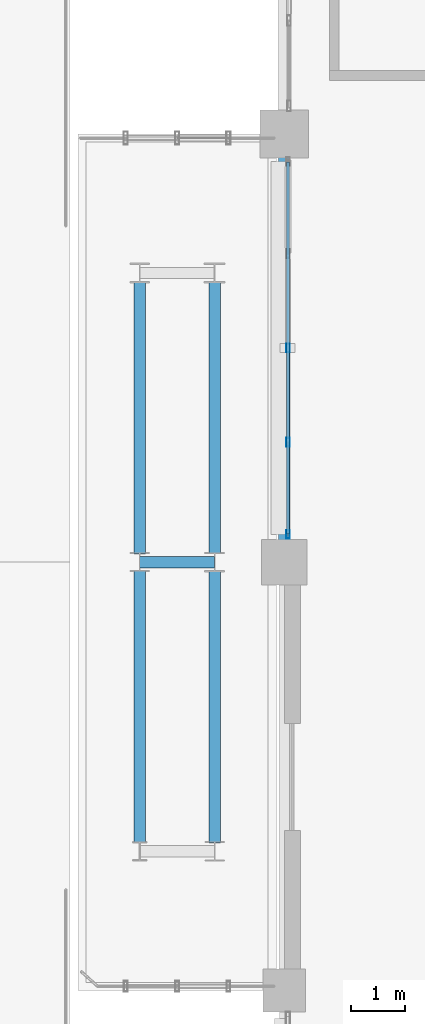
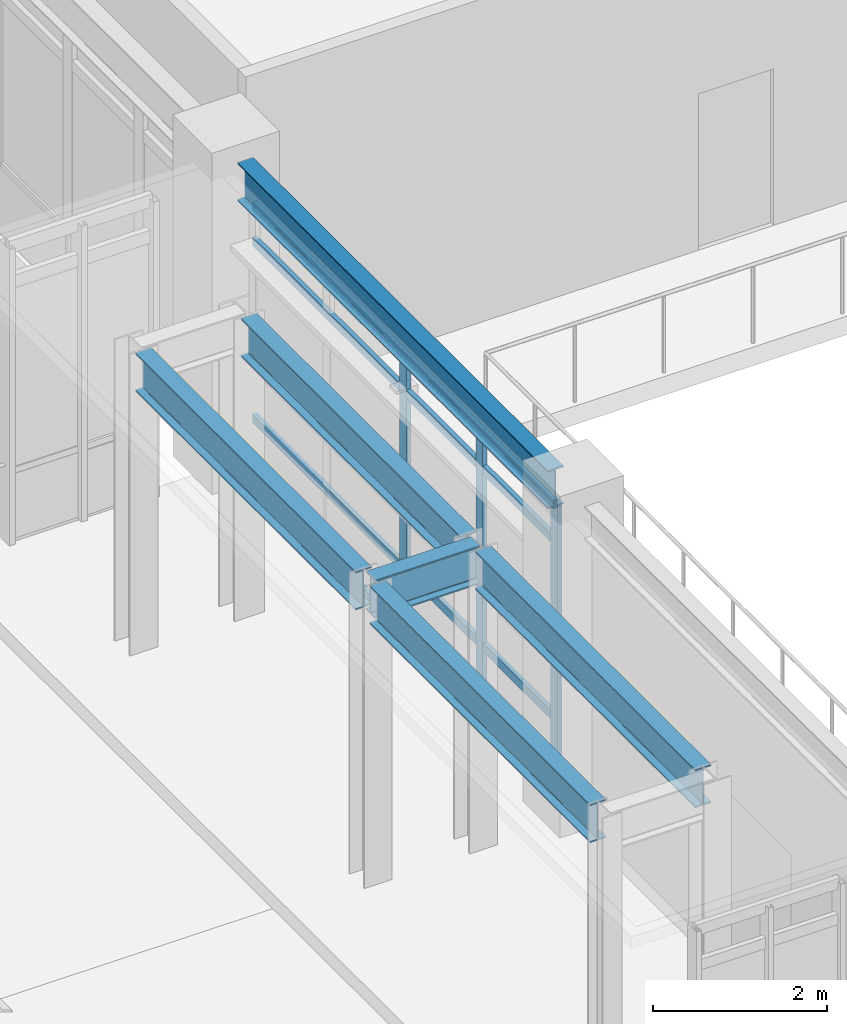
# One storey, part 122 of 200: 7 members, 6 beams, 1 element without a shape of its own.
"""IFC4 building model written with IfcOpenShell, lengths in metres."""

from ifc_helpers import new_model, si_unit, direction, frame, origin, origin_2d, place, context, subcontext, project, spatial, hollow_rectangle, i_section, extrude, material, material_profile, profile_set, type_object, element, aggregate, save


model = new_model("IFC4")

# Units and contexts
model_context = context("Model", 3, precision=1e-05, world=origin(), true_north=direction((0.0, 1.0)))
body_context = subcontext(model_context, "Body", "Model", "MODEL_VIEW")
ifc_project = project(units=[si_unit("LENGTHUNIT", "METRE"), si_unit("AREAUNIT", "SQUARE_METRE"), si_unit("VOLUMEUNIT", "CUBIC_METRE"), si_unit("PLANEANGLEUNIT", "RADIAN"), si_unit("MASSUNIT", "GRAM", prefix="KILO"), si_unit("THERMODYNAMICTEMPERATUREUNIT", "KELVIN"), si_unit("POWERUNIT", "WATT")], contexts=[model_context])

# Site, building, storey
site_placement = place(None, origin())
site = spatial("IfcSite", under=ifc_project, at=site_placement, CompositionType="ELEMENT")
building_placement = place(site_placement, origin())
building = spatial("IfcBuilding", under=site, at=building_placement, Name="Tepalcoro Natatorium and Aquatics Centre", CompositionType="ELEMENT")
storey_placement = place(building_placement, frame((0.0, 0.0, 5.39990234375)))
storey = spatial("IfcBuildingStorey", under=building, at=storey_placement, Name="L01", CompositionType="ELEMENT", Elevation=5.39990234375)

# Beams
ifc_material_1 = material(Name="Steel ASTM A992 Grade 50 (Fy 345 MPa)", Category="steel")
ifc_material_profile_1 = material_profile(ifc_material_1, i_section(OverallWidth=0.2109375, OverallDepth=0.5380859375, WebThickness=0.011962890625, FlangeThickness=0.01904296875, FilletRadius=0.013916015625, at=origin_2d()), Name="W21X73")
ifc_profile_set_1 = profile_set([ifc_material_profile_1], Name="Steel ASTM A992 Grade 50 (Fy 345 MPa)")
beam_type_1 = type_object("IfcBeamType", Name="BM_LINK_LB1", PredefinedType="BEAM", material=ifc_profile_set_1)
beam_1_placement = place(storey_placement, frame((139.300048828125, 36.0, 3.9560546875), z_axis=(1.0, 0.0, 0.0), x_axis=(0.0, 1.0, 0.0)))
element("IfcBeam", 1, at=beam_1_placement, inside=storey, type_object=beam_type_1, Name="Seismic passage link beam LB1 (V6E L01)", PredefinedType="BEAM", context=body_context, shape_type="SweptSolid", body=[
    extrude(i_section(OverallWidth=0.2109375, OverallDepth=0.5380859375, WebThickness=0.011962890625, FlangeThickness=0.01904296875, FilletRadius=0.013916015625, at=origin_2d()), origin(), (0.0, 0.0, 1.0), 1.39990234375),
])
beam_2_placement = place(storey_placement, frame((139.300048828125, 30.757080078125, 3.9560546875), z_axis=(0.0, 1.0, 0.0), x_axis=(-1.0, 0.0, 0.0)))
element("IfcBeam", 2, at=beam_2_placement, inside=storey, type_object=beam_type_1, Name="Seismic passage link beam LB1 (V6E L01)", PredefinedType="BEAM", context=body_context, shape_type="SweptSolid", body=[
    extrude(i_section(OverallWidth=0.2109375, OverallDepth=0.5380859375, WebThickness=0.011962890625, FlangeThickness=0.01904296875, FilletRadius=0.013916015625, at=origin_2d()), origin(), (0.0, 0.0, 1.0), 5.0859375),
])
beam_3_placement = place(storey_placement, frame((139.300048828125, 36.156982421875, 3.9560546875), z_axis=(0.0, 1.0, 0.0), x_axis=(-1.0, 0.0, 0.0)))
element("IfcBeam", 3, at=beam_3_placement, inside=storey, type_object=beam_type_1, Name="Seismic passage link beam LB1 (V6E L01)", PredefinedType="BEAM", context=body_context, shape_type="SweptSolid", body=[
    extrude(i_section(OverallWidth=0.2109375, OverallDepth=0.5380859375, WebThickness=0.011962890625, FlangeThickness=0.01904296875, FilletRadius=0.013916015625, at=origin_2d()), origin(), (0.0, 0.0, 1.0), 5.080078125),
])
beam_4_placement = place(storey_placement, frame((140.699951171875, 30.757080078125, 3.9560546875), z_axis=(0.0, 1.0, 0.0), x_axis=(-1.0, 0.0, 0.0)))
element("IfcBeam", 4, at=beam_4_placement, inside=storey, type_object=beam_type_1, Name="Seismic passage link beam LB1 (V6E L01)", PredefinedType="BEAM", context=body_context, shape_type="SweptSolid", body=[
    extrude(i_section(OverallWidth=0.2109375, OverallDepth=0.5380859375, WebThickness=0.011962890625, FlangeThickness=0.01904296875, FilletRadius=0.013916015625, at=origin_2d()), origin(), (0.0, 0.0, 1.0), 5.079833984375),
])
beam_5_placement = place(storey_placement, frame((140.699951171875, 36.1630859375, 3.9560546875), z_axis=(0.0, 1.0, 0.0), x_axis=(-1.0, 0.0, 0.0)))
element("IfcBeam", 5, at=beam_5_placement, inside=storey, type_object=beam_type_1, Name="Seismic passage link beam LB1 (V6E L01)", PredefinedType="BEAM", context=body_context, shape_type="SweptSolid", body=[
    extrude(i_section(OverallWidth=0.2109375, OverallDepth=0.5380859375, WebThickness=0.011962890625, FlangeThickness=0.01904296875, FilletRadius=0.013916015625, at=origin_2d()), origin(), (0.0, 0.0, 1.0), 5.06982421875),
])

# Curtain wall, members
ifc_material_2 = material(Name="Bronze-Anodised Extruded Aluminium Alloy EN AW-6063 T6", Category="aluminium")
curtain_wall_type = type_object("IfcCurtainWallType", Name="CW_LEAN_T2_EW", PredefinedType="USERDEFINED", material=ifc_material_2)
curtain_wall_placement = place(storey_placement, origin())
curtain_wall = element("IfcCurtainWall", 6, at=curtain_wall_placement, inside=storey, type_object=curtain_wall_type, Name="V2 L01 W Unitised Curtain Wall Bay 5", ObjectType="FACETED SOLAR GLAZING", PredefinedType="USERDEFINED")
ifc_material_profile_2 = material_profile(ifc_material_2, hollow_rectangle(XDim=0.06005859375, YDim=0.159912109375, WallThickness=0.00390625, at=origin_2d()), Name="AL60X160X4")
ifc_profile_set_2 = profile_set([ifc_material_profile_2], Name="Bronze-Anodised Extruded Aluminium Alloy EN AW-6063 T6")
member_type_1 = type_object("IfcMemberType", Name="CW_MUL_60x160", PredefinedType="MULLION", material=ifc_profile_set_2)
member_1_placement = place(storey_placement, frame((142.0712890625, 36.52001953125, 0.02001953125), z_axis=(0.0, 0.0, 1.0), x_axis=(1.0, 0.0, 0.0)))
member_1 = element("IfcMember", 7, at=member_1_placement, type_object=member_type_1, Name="CW_LEAN_T2_EW Curtain Wall Mullion", PredefinedType="MULLION", context=body_context, shape_type="SweptSolid", body=[
    extrude(hollow_rectangle(XDim=0.06005859375, YDim=0.159912109375, WallThickness=0.00390625, at=origin_2d()), origin(), (0.0, 0.0, 1.0), 3.9541015625),
])
member_2_placement = place(storey_placement, frame((142.0712890625, 38.239990234375, 0.02001953125), z_axis=(0.0, 0.0, 1.0), x_axis=(1.0, 0.0, 0.0)))
member_2 = element("IfcMember", 8, at=member_2_placement, type_object=member_type_1, Name="CW_LEAN_T2_EW Curtain Wall Mullion", PredefinedType="MULLION", context=body_context, shape_type="SweptSolid", body=[
    extrude(hollow_rectangle(XDim=0.06005859375, YDim=0.159912109375, WallThickness=0.00390625, at=origin_2d()), origin(), (0.0, 0.0, 1.0), 3.9541015625),
])
member_3_placement = place(storey_placement, frame((142.0712890625, 40.0, 0.02001953125), z_axis=(0.0, 0.0, 1.0), x_axis=(1.0, 0.0, 0.0)))
member_3 = element("IfcMember", 9, at=member_3_placement, type_object=member_type_1, Name="CW_LEAN_T2_EW Curtain Wall Mullion", PredefinedType="MULLION", context=body_context, shape_type="SweptSolid", body=[
    extrude(hollow_rectangle(XDim=0.06005859375, YDim=0.159912109375, WallThickness=0.00390625, at=origin_2d()), origin(), (0.0, 0.0, 1.0), 3.9541015625),
])
ifc_material_profile_3 = material_profile(ifc_material_2, hollow_rectangle(XDim=0.06005859375, YDim=0.1201171875, WallThickness=0.00390625, at=origin_2d()), Name="AL60X120X4")
ifc_profile_set_3 = profile_set([ifc_material_profile_3], Name="Bronze-Anodised Extruded Aluminium Alloy EN AW-6063 T6")
member_type_2 = type_object("IfcMemberType", Name="CW_TRN_60x120", PredefinedType="USERDEFINED", material=ifc_profile_set_3)
member_4_placement = place(storey_placement, frame((142.0712890625, 36.530029296875, 0.050048828125), z_axis=(0.0, 1.0, 0.0), x_axis=(-1.0, 0.0, 0.0)))
member_4 = element("IfcMember", 10, at=member_4_placement, type_object=member_type_2, Name="CW_LEAN_T2_EW Curtain Wall Transom", ObjectType="TRANSOM", PredefinedType="USERDEFINED", context=body_context, shape_type="SweptSolid", body=[
    extrude(hollow_rectangle(XDim=0.06005859375, YDim=0.1201171875, WallThickness=0.00390625, at=origin_2d()), origin(), (0.0, 0.0, 1.0), 6.93994140625),
])
member_5_placement = place(storey_placement, frame((142.0712890625, 36.530029296875, 0.9501953125), z_axis=(0.0, 1.0, 0.0), x_axis=(-1.0, 0.0, 0.0)))
member_5 = element("IfcMember", 11, at=member_5_placement, type_object=member_type_2, Name="CW_LEAN_T2_EW Curtain Wall Transom", ObjectType="TRANSOM", PredefinedType="USERDEFINED", context=body_context, shape_type="SweptSolid", body=[
    extrude(hollow_rectangle(XDim=0.06005859375, YDim=0.1201171875, WallThickness=0.00390625, at=origin_2d()), origin(), (0.0, 0.0, 1.0), 6.93994140625),
])
member_6_placement = place(storey_placement, frame((142.0712890625, 36.530029296875, 3.444091796875), z_axis=(0.0, 1.0, 0.0), x_axis=(-1.0, 0.0, 0.0)))
member_6 = element("IfcMember", 12, at=member_6_placement, type_object=member_type_2, Name="CW_LEAN_T2_EW Curtain Wall Transom", ObjectType="TRANSOM", PredefinedType="USERDEFINED", context=body_context, shape_type="SweptSolid", body=[
    extrude(hollow_rectangle(XDim=0.06005859375, YDim=0.1201171875, WallThickness=0.00390625, at=origin_2d()), origin(), (0.0, 0.0, 1.0), 6.93994140625),
])
member_7_placement = place(storey_placement, frame((142.0712890625, 36.530029296875, 3.944091796875), z_axis=(0.0, 1.0, 0.0), x_axis=(-1.0, 0.0, 0.0)))
member_7 = element("IfcMember", 13, at=member_7_placement, type_object=member_type_2, Name="CW_LEAN_T2_EW Curtain Wall Transom", ObjectType="TRANSOM", PredefinedType="USERDEFINED", context=body_context, shape_type="SweptSolid", body=[
    extrude(hollow_rectangle(XDim=0.06005859375, YDim=0.1201171875, WallThickness=0.00390625, at=origin_2d()), origin(), (0.0, 0.0, 1.0), 6.93994140625),
])
aggregate(curtain_wall, [member_1, member_2, member_3, member_4, member_5, member_6, member_7])

# Beam
ifc_material_profile_4 = material_profile(ifc_material_1, i_section(OverallWidth=0.2099609375, OverallDepth=0.535888671875, WebThickness=0.010986328125, FlangeThickness=0.01708984375, FilletRadius=0.013916015625, at=origin_2d()), Name="W21X68")
ifc_profile_set_4 = profile_set([ifc_material_profile_4], Name="Steel ASTM A992 Grade 50 (Fy 345 MPa)")
beam_type_2 = type_object("IfcBeamType", Name="SP_W21x68", PredefinedType="SPANDREL", material=ifc_profile_set_4)
beam_6_placement = place(storey_placement, frame((142.0, 36.409912109375, 4.277099609375), z_axis=(0.0, 1.0, 0.0), x_axis=(-1.0, 0.0, 0.0)))
element("IfcBeam", 14, at=beam_6_placement, inside=storey, type_object=beam_type_2, Name="V2 L01 Grid Girder Y", PredefinedType="SPANDREL", context=body_context, shape_type="SweptSolid", body=[
    extrude(i_section(OverallWidth=0.2099609375, OverallDepth=0.535888671875, WebThickness=0.010986328125, FlangeThickness=0.01708984375, FilletRadius=0.013916015625, at=origin_2d()), origin(), (0.0, 0.0, 1.0), 7.155029296875),
])

save(model, "model.ifc")
